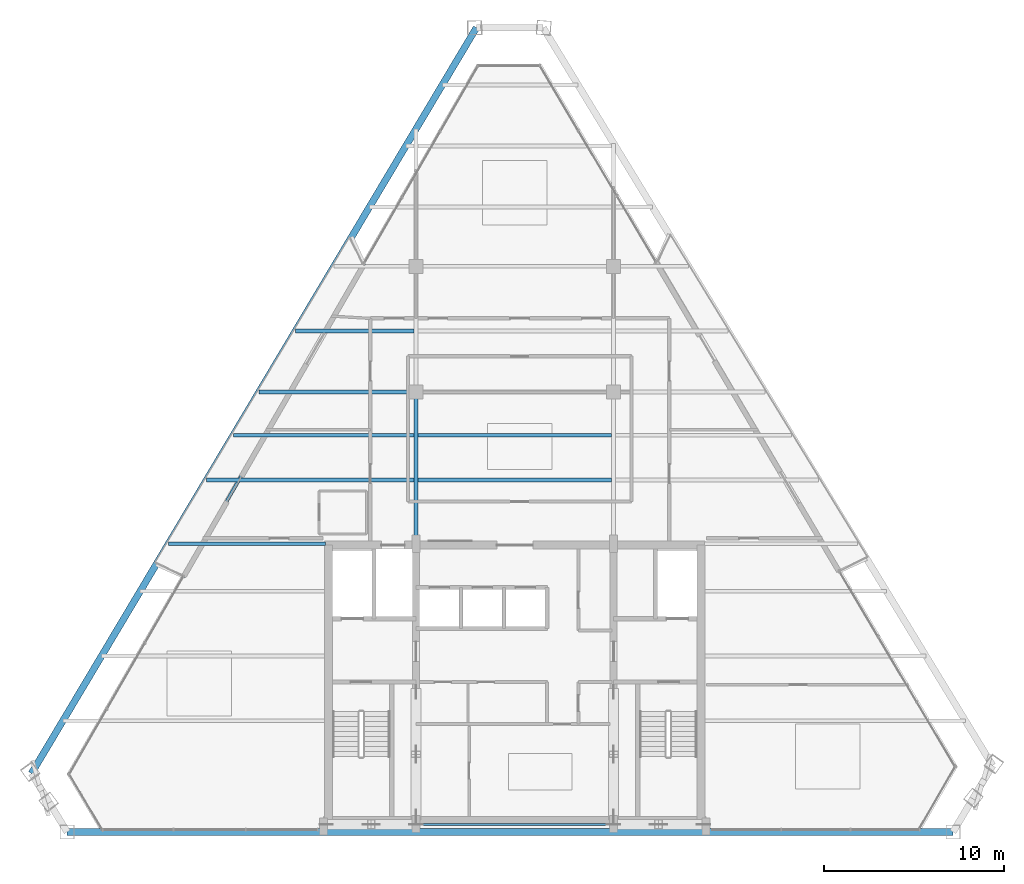
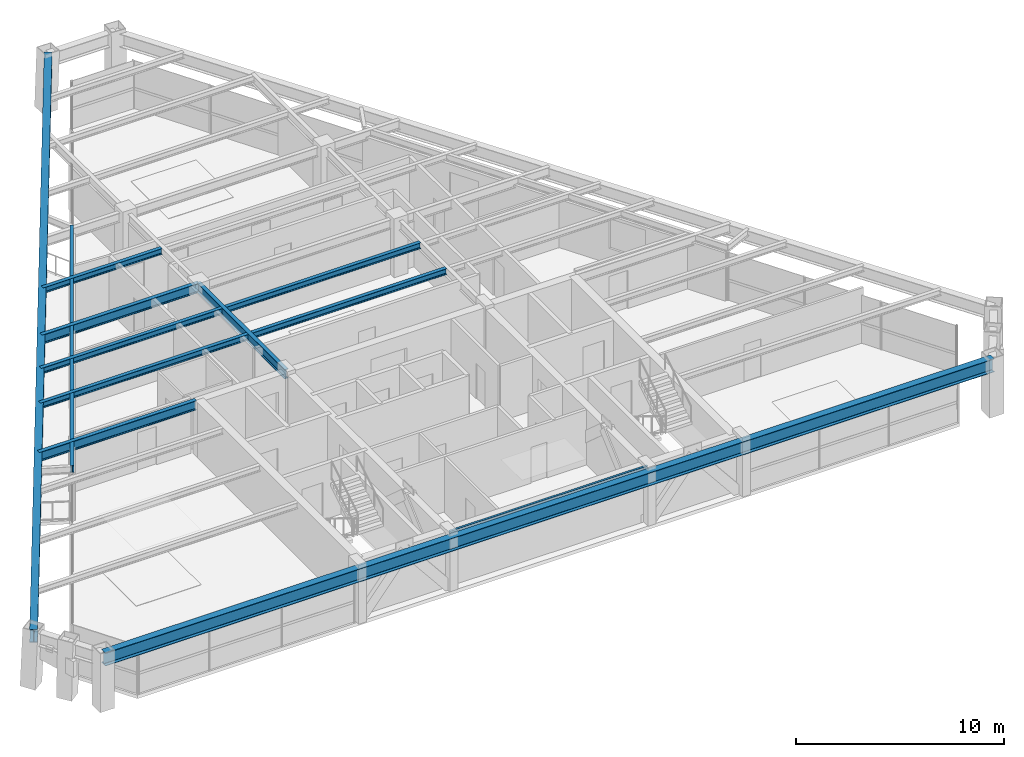
# One storey, part 3 of 13: 12 beams.
"""IFC4 building model written with IfcOpenShell, lengths in metres."""

from ifc_helpers import new_model, si_unit, direction, frame, origin, origin_2d, place, context, subcontext, project, spatial, i_section, extrude, source, transform, mapped, material, material_profile, profile_set, type_object, type_shapes, element, save


model = new_model("IFC4")

# Units and contexts
model_context = context("Model", 3, precision=1e-05, world=origin(), true_north=direction((0.0, 1.0)))
body_context = subcontext(model_context, "Body", "Model", "MODEL_VIEW")
ifc_project = project(units=[si_unit("LENGTHUNIT", "METRE"), si_unit("AREAUNIT", "SQUARE_METRE"), si_unit("VOLUMEUNIT", "CUBIC_METRE"), si_unit("PLANEANGLEUNIT", "RADIAN"), si_unit("MASSUNIT", "GRAM", prefix="KILO")], contexts=[model_context])

# Site, building, storey
site_placement = place(None, origin())
site = spatial("IfcSite", under=ifc_project, at=site_placement, CompositionType="ELEMENT")
building_placement = place(site_placement, origin())
building = spatial("IfcBuilding", under=site, at=building_placement, Name="Varnakhor Terracotta Tower", CompositionType="ELEMENT")
storey_placement = place(building_placement, frame((0.0, 0.0, 276.449951171875)))
storey = spatial("IfcBuildingStorey", under=building, at=storey_placement, Name="L72", CompositionType="ELEMENT", Elevation=276.449951171875)

# Beams
ifc_material = material(Name="Steel S355", Category="steel")
ifc_material_profile_1 = material_profile(ifc_material, i_section(OverallWidth=0.1201171875, OverallDepth=0.239990234375, WebThickness=0.006103515625, FlangeThickness=0.009765625, FilletRadius=0.01806640625, at=origin_2d()), Name="IPE240")
ifc_profile_set_1 = profile_set([ifc_material_profile_1], Name="Steel S355")
beam_type_1 = type_object("IfcBeamType", Name="LNT-IPE240", PredefinedType="LINTEL", material=ifc_profile_set_1)
shared_shape_1 = source(origin(), body_context, "Body", "SweptSolid", [
    extrude(i_section(OverallWidth=0.1201171875, OverallDepth=0.239990234375, WebThickness=0.006103515625, FlangeThickness=0.009765625, FilletRadius=0.01806640625, at=origin_2d()), origin(), (0.0, 0.0, 1.0), 11.0),
])
type_shapes(beam_type_1, [shared_shape_1])
beam_1_placement = place(storey_placement, frame((-5.5, 0.419921875, 3.1201171875), z_axis=(1.0, 0.0, 0.0), x_axis=(0.0, 1.0, 0.0)))
element("IfcBeam", 1, at=beam_1_placement, inside=storey, type_object=beam_type_1, Name="L72 Core South Coupling Lintel", PredefinedType="LINTEL", context=body_context, shape_type="MappedRepresentation", body=[
    mapped(shared_shape_1, transform((0.0, 0.0, 0.0), scale=1.0)),
])
ifc_material_profile_2 = material_profile(ifc_material, i_section(OverallWidth=0.214111328125, OverallDepth=0.549072265625, WebThickness=0.014892578125, FlangeThickness=0.02392578125, FilletRadius=0.01806640625, at=origin_2d()), Name="W21X93")
ifc_profile_set_2 = profile_set([ifc_material_profile_2], Name="Steel S355")
beam_type_2 = type_object("IfcBeamType", Name="BM-W21X93", PredefinedType="BEAM", material=ifc_profile_set_2)
shared_shape_2 = source(origin(), body_context, "Body", "SweptSolid", [
    extrude(i_section(OverallWidth=0.214111328125, OverallDepth=0.549072265625, WebThickness=0.014892578125, FlangeThickness=0.02392578125, FilletRadius=0.01806640625, at=origin_2d()), origin(), (0.0, 0.0, 1.0), 8.449951171875),
])
type_shapes(beam_type_2, [shared_shape_2])
beam_2_placement = place(storey_placement, frame((-5.5, 16.050048828125, 2.965576171875), z_axis=(0.0, 1.0, 0.0), x_axis=(-1.0, 0.0, 0.0)))
element("IfcBeam", 2, at=beam_2_placement, inside=storey, type_object=beam_type_2, Name="L72 Primary Girder NS1-W", PredefinedType="BEAM", context=body_context, shape_type="MappedRepresentation", body=[
    mapped(shared_shape_2, transform((0.0, 0.0, 0.0), scale=1.0)),
])
ifc_material_profile_3 = material_profile(ifc_material, i_section(OverallWidth=0.202880859375, OverallDepth=0.346923828125, WebThickness=0.0078125, FlangeThickness=0.013427734375, FilletRadius=0.01806640625, at=origin_2d()), Name="W14X43")
ifc_profile_set_3 = profile_set([ifc_material_profile_3], Name="Steel S355")
beam_type_3 = type_object("IfcBeamType", Name="JST-W14X43", PredefinedType="JOIST", material=ifc_profile_set_3)
shared_shape_3 = source(origin(), body_context, "Body", "SweptSolid", [
    extrude(i_section(OverallWidth=0.202880859375, OverallDepth=0.346923828125, WebThickness=0.0078125, FlangeThickness=0.013427734375, FilletRadius=0.01806640625, at=origin_2d()), origin(), (0.0, 0.0, 1.0), 10.7939453125),
])
for number, where, z_axis, x_axis, name in (
    (3, (-5.39697265625, 19.60009765625, 3.066650390625), (1.0, 0.0, 0.0), (0.0, 1.0, 0.0), "L72 Composite Floor Joist 4-2"),
    (4, (-5.39697265625, 22.10009765625, 3.066650390625), (1.0, 0.0, 0.0), (0.0, 1.0, 0.0), "L72 Composite Floor Joist 5-2"),
):
    element("IfcBeam", number, at=place(storey_placement, frame(where, z_axis=z_axis, x_axis=x_axis)), inside=storey, type_object=beam_type_3, Name=name, PredefinedType="JOIST", context=body_context, shape_type="MappedRepresentation", body=[
        mapped(shared_shape_3, transform((0.0, 0.0, 0.0), scale=1.0)),
    ])
ifc_material_profile_4 = material_profile(ifc_material, i_section(OverallWidth=0.381103515625, OverallDepth=0.77294921875, WebThickness=0.01708984375, FlangeThickness=0.027099609375, FilletRadius=0.01806640625, at=origin_2d()), Name="W30X173")
ifc_profile_set_4 = profile_set([ifc_material_profile_4], Name="Steel S355")
beam_type_4 = type_object("IfcBeamType", Name="BM-W30X173", PredefinedType="BEAM", material=ifc_profile_set_4)
shared_shape_4 = source(origin(), body_context, "Body", "SweptSolid", [
    extrude(i_section(OverallWidth=0.381103515625, OverallDepth=0.77294921875, WebThickness=0.01708984375, FlangeThickness=0.027099609375, FilletRadius=0.01806640625, at=origin_2d()), origin(), (0.0, 0.0, 1.0), 49.327880859375),
])
beam_3_placement = place(storey_placement, frame((-24.927978515625, 0.0, 2.853515625), z_axis=(1.0, 0.0, 0.0), x_axis=(0.0, 1.0, 0.0)))
element("IfcBeam", 5, at=beam_3_placement, inside=storey, type_object=beam_type_4, Name="L72 Perimeter Spandrel 1", PredefinedType="BEAM", context=body_context, shape_type="MappedRepresentation", body=[
    mapped(shared_shape_4, transform((0.0, 0.0, 0.0), scale=1.0)),
])
shared_shape_5 = source(origin(), body_context, "Body", "SweptSolid", [
    extrude(i_section(OverallWidth=0.381103515625, OverallDepth=0.77294921875, WebThickness=0.01708984375, FlangeThickness=0.027099609375, FilletRadius=0.01806640625, at=origin_2d()), origin(), (0.0, 0.0, 1.0), 48.35595703125),
])
beam_4_placement = place(storey_placement, frame((-2.137451171875, 44.787109375, 2.853515625), z_axis=(-0.512395238957, -0.858749741831, 0.0), x_axis=(0.858749741831, -0.512395238957, 0.0)))
element("IfcBeam", 6, at=beam_4_placement, inside=storey, type_object=beam_type_4, Name="L72 Perimeter Spandrel 6", PredefinedType="BEAM", context=body_context, shape_type="MappedRepresentation", body=[
    mapped(shared_shape_5, transform((0.0, 0.0, 0.0), scale=1.0)),
])
ifc_material_profile_5 = material_profile(ifc_material, i_section(OverallWidth=0.179931640625, OverallDepth=0.39990234375, WebThickness=0.008544921875, FlangeThickness=0.013427734375, FilletRadius=0.01806640625, at=origin_2d()), Name="IPE400")
ifc_profile_set_5 = profile_set([ifc_material_profile_5], Name="Steel S355")
beam_type_5 = type_object("IfcBeamType", Name="JST-IPE400", PredefinedType="JOIST", material=ifc_profile_set_5)
shared_shape_6 = source(origin(), body_context, "Body", "SweptSolid", [
    extrude(i_section(OverallWidth=0.179931640625, OverallDepth=0.39990234375, WebThickness=0.008544921875, FlangeThickness=0.013427734375, FilletRadius=0.01806640625, at=origin_2d()), origin(), (0.0, 0.0, 1.0), 20.143798828125),
])
beam_5_placement = place(storey_placement, frame((-8.399169921875, 31.670654296875, 3.0400390625), z_axis=(-0.499510494576, -0.866307835477, 0.0), x_axis=(0.866307835477, -0.499510494576, 0.0)))
element("IfcBeam", 7, at=beam_5_placement, inside=storey, type_object=beam_type_5, Name="L72 Loggia Edge Beam 2", PredefinedType="JOIST", context=body_context, shape_type="MappedRepresentation", body=[
    mapped(shared_shape_6, transform((0.0, 0.0, 0.0), scale=1.0)),
])
shared_shape_7 = source(origin(), body_context, "Body", "SweptSolid", [
    extrude(i_section(OverallWidth=0.214111328125, OverallDepth=0.549072265625, WebThickness=0.014892578125, FlangeThickness=0.02392578125, FilletRadius=0.01806640625, at=origin_2d()), origin(), (0.0, 0.0, 1.0), 8.734130859375),
])
beam_6_placement = place(storey_placement, frame((-19.2841796875, 16.050048828125, 2.965576171875), z_axis=(1.0, 0.0, 0.0), x_axis=(0.0, 1.0, 0.0)))
element("IfcBeam", 8, at=beam_6_placement, inside=storey, type_object=beam_type_2, Name="L72 Wing Girder W", PredefinedType="BEAM", context=body_context, shape_type="MappedRepresentation", body=[
    mapped(shared_shape_7, transform((0.0, 0.0, 0.0), scale=1.0)),
])
shared_shape_8 = source(origin(), body_context, "Body", "SweptSolid", [
    extrude(i_section(OverallWidth=0.214111328125, OverallDepth=0.549072265625, WebThickness=0.014892578125, FlangeThickness=0.02392578125, FilletRadius=0.01806640625, at=origin_2d()), origin(), (0.0, 0.0, 1.0), 8.7421875),
])
beam_7_placement = place(storey_placement, frame((-14.2421875, 24.5, 2.965576171875), z_axis=(1.0, 0.0, 0.0), x_axis=(0.0, 1.0, 0.0)))
element("IfcBeam", 9, at=beam_7_placement, inside=storey, type_object=beam_type_2, Name="L72 Primary Girder EW2-1", PredefinedType="BEAM", context=body_context, shape_type="MappedRepresentation", body=[
    mapped(shared_shape_8, transform((0.0, 0.0, 0.0), scale=1.0)),
])
shared_shape_9 = source(origin(), body_context, "Body", "SweptSolid", [
    extrude(i_section(OverallWidth=0.202880859375, OverallDepth=0.346923828125, WebThickness=0.0078125, FlangeThickness=0.013427734375, FilletRadius=0.01806640625, at=origin_2d()), origin(), (0.0, 0.0, 1.0), 11.56298828125),
])
beam_8_placement = place(storey_placement, frame((-17.166015625, 19.60009765625, 3.066650390625), z_axis=(1.0, 0.0, 0.0), x_axis=(0.0, 1.0, 0.0)))
element("IfcBeam", 10, at=beam_8_placement, inside=storey, type_object=beam_type_3, Name="L72 Composite Floor Joist 4-1", PredefinedType="JOIST", context=body_context, shape_type="MappedRepresentation", body=[
    mapped(shared_shape_9, transform((0.0, 0.0, 0.0), scale=1.0)),
])
shared_shape_10 = source(origin(), body_context, "Body", "SweptSolid", [
    extrude(i_section(OverallWidth=0.202880859375, OverallDepth=0.346923828125, WebThickness=0.0078125, FlangeThickness=0.013427734375, FilletRadius=0.01806640625, at=origin_2d()), origin(), (0.0, 0.0, 1.0), 10.0712890625),
])
beam_9_placement = place(storey_placement, frame((-15.67431640625, 22.10009765625, 3.066650390625), z_axis=(1.0, 0.0, 0.0), x_axis=(0.0, 1.0, 0.0)))
element("IfcBeam", 11, at=beam_9_placement, inside=storey, type_object=beam_type_3, Name="L72 Composite Floor Joist 5-1", PredefinedType="JOIST", context=body_context, shape_type="MappedRepresentation", body=[
    mapped(shared_shape_10, transform((0.0, 0.0, 0.0), scale=1.0)),
])
shared_shape_11 = source(origin(), body_context, "Body", "SweptSolid", [
    extrude(i_section(OverallWidth=0.202880859375, OverallDepth=0.346923828125, WebThickness=0.0078125, FlangeThickness=0.013427734375, FilletRadius=0.01806640625, at=origin_2d()), origin(), (0.0, 0.0, 1.0), 6.610595703125),
])
beam_10_placement = place(storey_placement, frame((-12.213623046875, 27.89990234375, 3.066650390625), z_axis=(1.0, 0.0, 0.0), x_axis=(0.0, 1.0, 0.0)))
element("IfcBeam", 12, at=beam_10_placement, inside=storey, type_object=beam_type_3, Name="L72 Composite Floor Joist 6-1", PredefinedType="JOIST", context=body_context, shape_type="MappedRepresentation", body=[
    mapped(shared_shape_11, transform((0.0, 0.0, 0.0), scale=1.0)),
])

save(model, "model.ifc")
